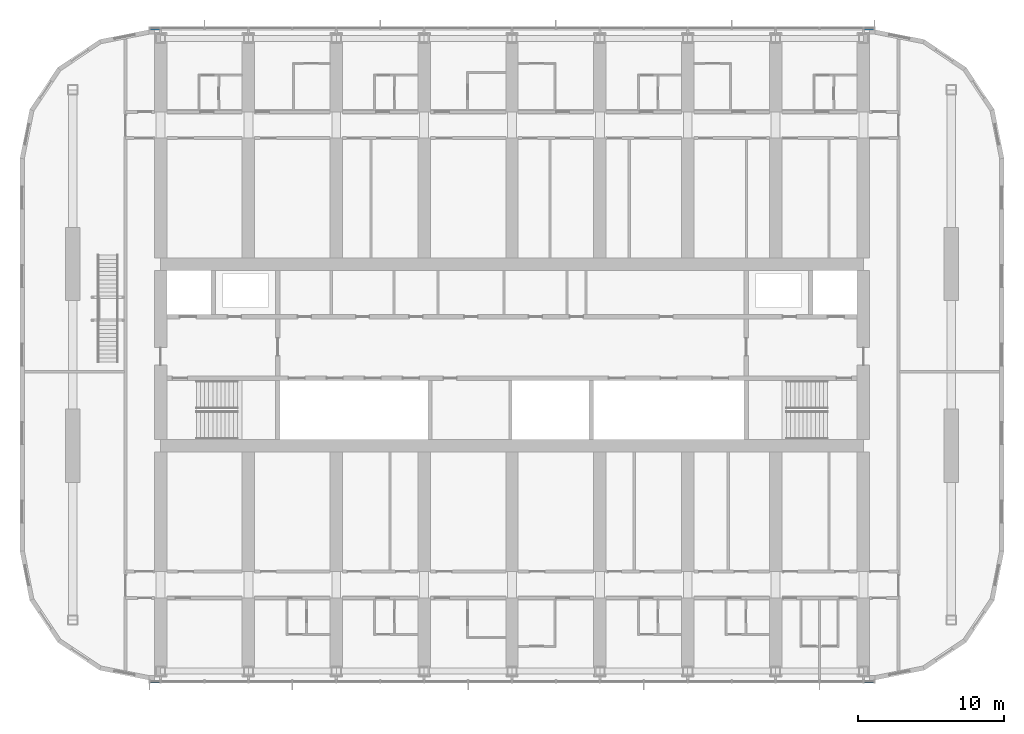
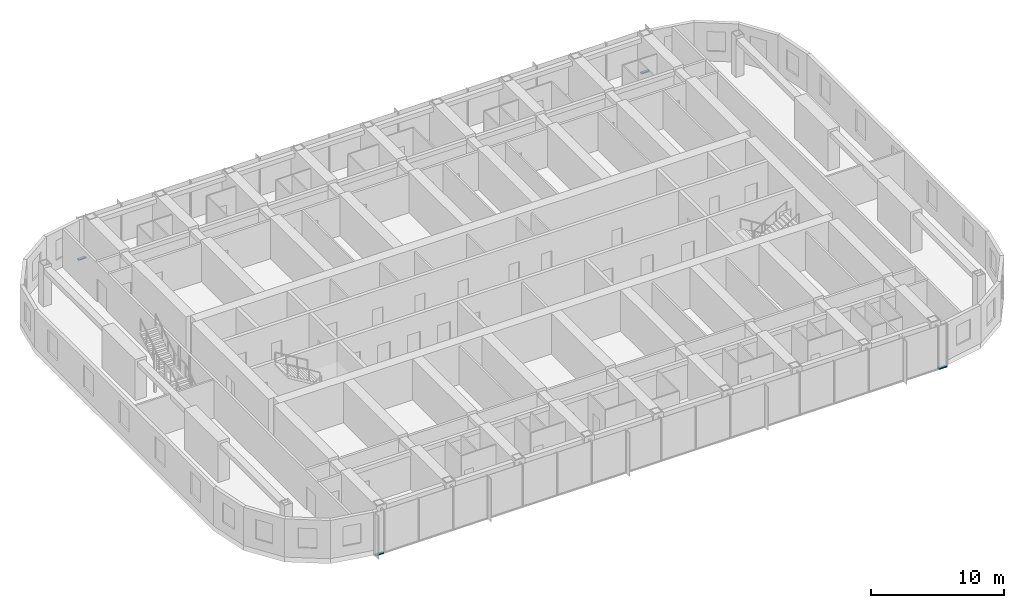
# One storey, part 8 of 27: 4 members, 2 elements without a shape of their own.
"""IFC4 building model written with IfcOpenShell, lengths in metres."""

from ifc_helpers import new_model, si_unit, direction, frame, origin, origin_2d, place, context, subcontext, project, spatial, rectangle, extrude, material, material_profile, profile_set, type_object, element, aggregate, save


model = new_model("IFC4")

# Units and contexts
model_context = context("Model", 3, precision=1e-05, world=origin(), true_north=direction((0.0, 1.0)))
body_context = subcontext(model_context, "Body", "Model", "MODEL_VIEW")
ifc_project = project(units=[si_unit("LENGTHUNIT", "METRE"), si_unit("AREAUNIT", "SQUARE_METRE"), si_unit("VOLUMEUNIT", "CUBIC_METRE"), si_unit("PLANEANGLEUNIT", "RADIAN"), si_unit("MASSUNIT", "GRAM", prefix="KILO")], contexts=[model_context])

# Site, building, storey
site_placement = place(None, origin())
site = spatial("IfcSite", under=ifc_project, at=site_placement, CompositionType="ELEMENT")
building_placement = place(site_placement, origin())
building = spatial("IfcBuilding", under=site, at=building_placement, Name="Orbita Commons", CompositionType="ELEMENT")
storey_placement = place(building_placement, frame((0.0, 0.0, 178.60009765625)))
storey = spatial("IfcBuildingStorey", under=building, at=storey_placement, Name="L44", CompositionType="ELEMENT", Elevation=178.60009765625)

# Curtain wall, members
ifc_material_1 = material(Name="Anodised aluminium frame, pale silver", Category="aluminium")
curtain_wall_type = type_object("IfcCurtainWallType", Name="Unitised curtain wall CW-U, full-height vision", PredefinedType="NOTDEFINED", material=ifc_material_1)
curtain_wall_1_placement = place(storey_placement, origin())
curtain_wall_1 = element("IfcCurtainWall", 1, at=curtain_wall_1_placement, inside=storey, type_object=curtain_wall_type, Name="Curtain wall south L44", PredefinedType="NOTDEFINED")
ifc_material_2 = material(Name="Anodised aluminium, pale silver", Category="aluminium")
ifc_material_profile = material_profile(ifc_material_2, rectangle(XDim=0.219970703125, YDim=0.10009765625, at=origin_2d()), Name="AL 220x100")
ifc_profile_set = profile_set([ifc_material_profile], Name="Anodised aluminium, pale silver")
member_type = type_object("IfcMemberType", Name="Curtain wall stack transom 220x100", PredefinedType="USERDEFINED", material=ifc_profile_set)
member_1_placement = place(storey_placement, frame((17.280029296875, 9.68994140625, -0.400146484375), z_axis=(1.0, 0.0, 0.0), x_axis=(0.0, 1.0, 0.0)))
member_1 = element("IfcMember", 2, at=member_1_placement, type_object=member_type, Name="Transom 1.1 CW-L44-S", ObjectType="TRANSOM", PredefinedType="USERDEFINED", context=body_context, shape_type="SweptSolid", body=[
    extrude(rectangle(XDim=0.219970703125, YDim=0.10009765625, at=origin_2d()), origin(), (0.0, 0.0, 1.0), 0.679931640625),
])
member_2_placement = place(storey_placement, frame((66.0400390625, 9.68994140625, -0.400146484375), z_axis=(1.0, 0.0, 0.0), x_axis=(0.0, 1.0, 0.0)))
member_2 = element("IfcMember", 3, at=member_2_placement, type_object=member_type, Name="Transom 18.1 CW-L44-S", ObjectType="TRANSOM", PredefinedType="USERDEFINED", context=body_context, shape_type="SweptSolid", body=[
    extrude(rectangle(XDim=0.219970703125, YDim=0.10009765625, at=origin_2d()), origin(), (0.0, 0.0, 1.0), 0.679931640625),
])
aggregate(curtain_wall_1, [member_1, member_2])

curtain_wall_2_placement = place(storey_placement, origin())
curtain_wall_2 = element("IfcCurtainWall", 4, at=curtain_wall_2_placement, inside=storey, type_object=curtain_wall_type, Name="Curtain wall north L44", PredefinedType="NOTDEFINED")
member_3_placement = place(storey_placement, frame((66.719970703125, 54.31005859375, -0.400146484375), z_axis=(-1.0, 0.0, 0.0), x_axis=(0.0, -1.0, 0.0)))
member_3 = element("IfcMember", 5, at=member_3_placement, type_object=member_type, Name="Transom 1.1 CW-L44-N", ObjectType="TRANSOM", PredefinedType="USERDEFINED", context=body_context, shape_type="SweptSolid", body=[
    extrude(rectangle(XDim=0.219970703125, YDim=0.10009765625, at=origin_2d()), origin(), (0.0, 0.0, 1.0), 0.679931640625),
])
member_4_placement = place(storey_placement, frame((17.9599609375, 54.31005859375, -0.400146484375), z_axis=(-1.0, 0.0, 0.0), x_axis=(0.0, -1.0, 0.0)))
member_4 = element("IfcMember", 6, at=member_4_placement, type_object=member_type, Name="Transom 18.1 CW-L44-N", ObjectType="TRANSOM", PredefinedType="USERDEFINED", context=body_context, shape_type="SweptSolid", body=[
    extrude(rectangle(XDim=0.219970703125, YDim=0.10009765625, at=origin_2d()), origin(), (0.0, 0.0, 1.0), 0.679931640625),
])
aggregate(curtain_wall_2, [member_3, member_4])

save(model, "model.ifc")
